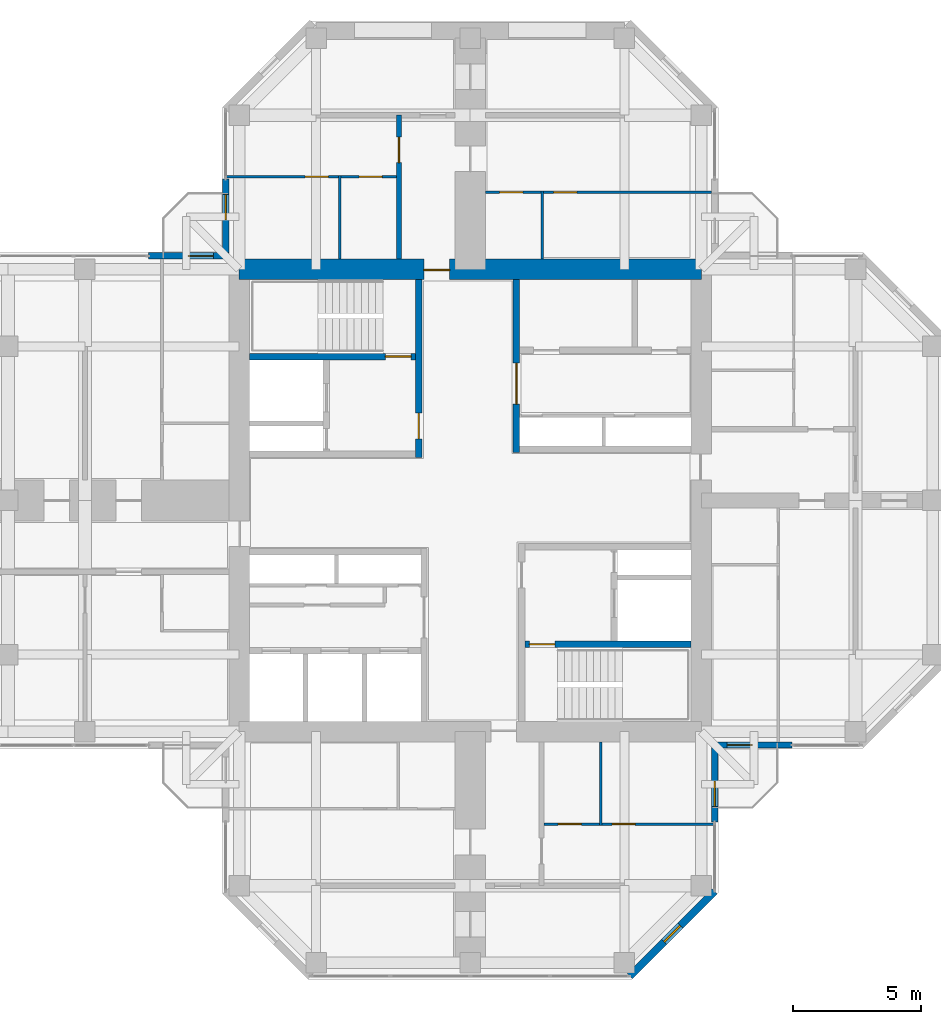
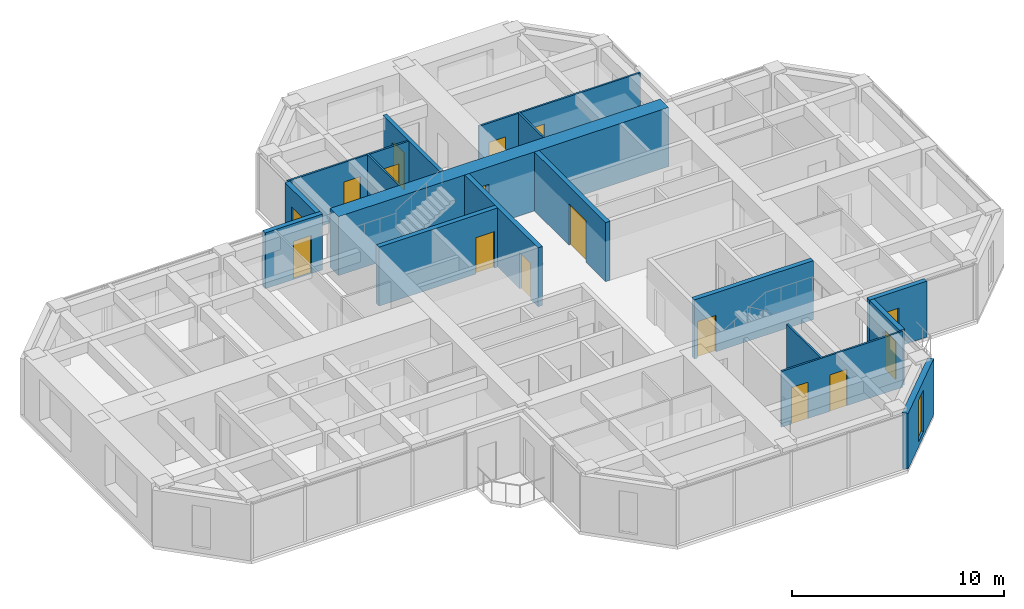
# One storey, part 10 of 13: 17 walls, 16 doors, 1 window, 17 openings.
"""IFC4 building model written with IfcOpenShell, lengths in metres."""

from ifc_helpers import new_model, si_unit, direction, frame, frame_2d, origin, place, context, subcontext, project, spatial, rectangle, hollow_rectangle, extrude, material, layer, layer_set, constituent, constituent_set, type_object, element, fill, save


model = new_model("IFC4")

# Units and contexts
model_context = context("Model", 3, precision=1e-05, world=origin(), true_north=direction((0.0, 1.0)))
body_context = subcontext(model_context, "Body", "Model", "MODEL_VIEW")
ifc_project = project(units=[si_unit("LENGTHUNIT", "METRE"), si_unit("AREAUNIT", "SQUARE_METRE"), si_unit("VOLUMEUNIT", "CUBIC_METRE"), si_unit("PLANEANGLEUNIT", "RADIAN"), si_unit("MASSUNIT", "GRAM", prefix="KILO")], contexts=[model_context])

# Site, building, storey
site_placement = place(None, origin())
site = spatial("IfcSite", under=ifc_project, at=site_placement, CompositionType="ELEMENT")
building_placement = place(site_placement, origin())
building = spatial("IfcBuilding", under=site, at=building_placement, Name="Torre Cruceta", CompositionType="ELEMENT")
storey_placement = place(building_placement, frame((0.0, 0.0, 239.10009765625)))
storey = spatial("IfcBuildingStorey", under=building, at=storey_placement, Name="L61", CompositionType="ELEMENT", Elevation=239.10009765625)

# Wall
ifc_material_1 = material(Name="Water-resistant plasterboard on steel studs", Category="steel")
ifc_layer_1 = layer(ifc_material_1, 0.10009765625)
ifc_layer_set_1 = layer_set([ifc_layer_1], Name="Water-resistant plasterboard on steel studs")
wall_type_1 = type_object("IfcWallType", Name="BATHROOM WALL 100", PredefinedType="PARTITIONING", material=ifc_layer_set_1)
wall_1_placement = place(storey_placement, frame((-5.074951171875, 9.39990234375, 0.0), z_axis=(0.0, 0.0, 1.0), x_axis=(0.0, 1.0, 0.0)))
element("IfcWall", 1, at=wall_1_placement, inside=storey, type_object=wall_type_1, Name="PT4 L61-N-U1LBB", PredefinedType="PARTITIONING", context=body_context, shape_type="SweptSolid", body=[
    extrude(rectangle(XDim=3.25, YDim=0.10009765625, at=frame_2d((1.625, 0.0))), origin(), (0.0, 0.0, 1.0), 3.219970703125),
])

# Wall, openings, doors
wall_2_placement = place(storey_placement, frame((-2.875, 12.60009765625, 0.0), z_axis=(0.0, 0.0, 1.0), x_axis=(-1.0, 0.0, 0.0)))
wall_2 = element("IfcWall", 2, at=wall_2_placement, inside=storey, type_object=wall_type_1, Name="PT4 L61-N-U1LBS", PredefinedType="PARTITIONING", context=body_context, shape_type="SweptSolid", body=[
    extrude(rectangle(XDim=6.60498046875, YDim=0.10009765625, at=frame_2d((3.302490234375, 0.0))), origin(), (0.0, 0.0, 1.0), 3.219970703125),
])
opening_1_placement = place(wall_2_placement, frame((0.550048828125, 0.0, 0.0)))
opening_1 = element("IfcOpeningElement", 3, at=opening_1_placement, cuts=wall_2, Name="Opening D7", PredefinedType="OPENING", context=body_context, shape_type="SweptSolid", body=[
    extrude(rectangle(XDim=0.89990234375, YDim=2.10009765625, at=frame_2d((0.449951171875, 1.050048828125))), frame((0.0, 0.06005859375, 0.0), z_axis=(0.0, -1.0, 0.0), x_axis=(1.0, 0.0, 0.0)), (0.0, 0.0, 1.0), 0.1201171875),
])
opening_2_placement = place(wall_2_placement, frame((2.64990234375, 0.0, 0.0)))
opening_2 = element("IfcOpeningElement", 4, at=opening_2_placement, cuts=wall_2, Name="Opening D7", PredefinedType="OPENING", context=body_context, shape_type="SweptSolid", body=[
    extrude(rectangle(XDim=0.89990234375, YDim=2.10009765625, at=frame_2d((0.449951171875, 1.050048828125))), frame((0.0, 0.06005859375, 0.0), z_axis=(0.0, -1.0, 0.0), x_axis=(1.0, 0.0, 0.0)), (0.0, 0.0, 1.0), 0.1201171875),
])
ifc_material_2 = material(Name="Timber door", Category="wood")
door_type_1 = type_object("IfcDoorType", Name="BATHROOM DOOR 900X2100", OperationType="SINGLE_SWING_LEFT", PredefinedType="DOOR", material=ifc_material_2)
door_1_placement = place(opening_1_placement, origin())
door_1 = element("IfcDoor", 5, at=door_1_placement, inside=storey, type_object=door_type_1, Name="D7 L61-N-U1LBS-D1", OperationType="SINGLE_SWING_LEFT", OverallHeight=2.10009765625, OverallWidth=0.89990234375, PredefinedType="DOOR", context=body_context, shape_type="SweptSolid", body=[
    extrude(rectangle(XDim=0.89990234375, YDim=2.10009765625, at=frame_2d((0.449951171875, 1.050048828125))), frame((0.0, 0.02490234375, 0.0), z_axis=(0.0, -1.0, 0.0), x_axis=(1.0, 0.0, 0.0)), (0.0, 0.0, 1.0), 0.050048828125),
])
fill(opening_1, door_1)
door_2_placement = place(opening_2_placement, origin())
door_2 = element("IfcDoor", 6, at=door_2_placement, inside=storey, type_object=door_type_1, Name="D7 L61-N-U1LBS-D2", OperationType="SINGLE_SWING_LEFT", OverallHeight=2.10009765625, OverallWidth=0.89990234375, PredefinedType="DOOR", context=body_context, shape_type="SweptSolid", body=[
    extrude(rectangle(XDim=0.89990234375, YDim=2.10009765625, at=frame_2d((0.449951171875, 1.050048828125))), frame((0.0, 0.02490234375, 0.0), z_axis=(0.0, -1.0, 0.0), x_axis=(1.0, 0.0, 0.0)), (0.0, 0.0, 1.0), 0.050048828125),
])
fill(opening_2, door_2)

# Wall
wall_3_placement = place(storey_placement, frame((2.800048828125, 9.39990234375, 0.0), z_axis=(0.0, 0.0, 1.0), x_axis=(0.0, 1.0, 0.0)))
element("IfcWall", 7, at=wall_3_placement, inside=storey, type_object=wall_type_1, Name="PT4 L61-N-U1RBB", PredefinedType="PARTITIONING", context=body_context, shape_type="SweptSolid", body=[
    extrude(rectangle(XDim=2.650146484375, YDim=0.10009765625, at=frame_2d((1.3251953125, 0.0))), origin(), (0.0, 0.0, 1.0), 3.219970703125),
])

# Wall, openings, doors
wall_4_placement = place(storey_placement, frame((9.39501953125, 12.0, 0.0), z_axis=(0.0, 0.0, 1.0), x_axis=(-1.0, 0.0, 0.0)))
wall_4 = element("IfcWall", 8, at=wall_4_placement, inside=storey, type_object=wall_type_1, Name="PT4 L61-N-U1RBS", PredefinedType="PARTITIONING", context=body_context, shape_type="SweptSolid", body=[
    extrude(rectangle(XDim=8.794921875, YDim=0.10009765625, at=frame_2d((4.3974609375, 0.0))), origin(), (0.0, 0.0, 1.0), 3.219970703125),
])
opening_3_placement = place(wall_4_placement, frame((5.2451171875, 0.0, 0.0)))
opening_3 = element("IfcOpeningElement", 9, at=opening_3_placement, cuts=wall_4, Name="Opening D7", PredefinedType="OPENING", context=body_context, shape_type="SweptSolid", body=[
    extrude(rectangle(XDim=0.89990234375, YDim=2.10009765625, at=frame_2d((0.449951171875, 1.050048828125))), frame((0.0, 0.06005859375, 0.0), z_axis=(0.0, -1.0, 0.0), x_axis=(1.0, 0.0, 0.0)), (0.0, 0.0, 1.0), 0.1201171875),
])
opening_4_placement = place(wall_4_placement, frame((7.344970703125, 0.0, 0.0)))
opening_4 = element("IfcOpeningElement", 10, at=opening_4_placement, cuts=wall_4, Name="Opening D7", PredefinedType="OPENING", context=body_context, shape_type="SweptSolid", body=[
    extrude(rectangle(XDim=0.89990234375, YDim=2.10009765625, at=frame_2d((0.449951171875, 1.050048828125))), frame((0.0, 0.06005859375, 0.0), z_axis=(0.0, -1.0, 0.0), x_axis=(1.0, 0.0, 0.0)), (0.0, 0.0, 1.0), 0.1201171875),
])
door_3_placement = place(opening_3_placement, origin())
door_3 = element("IfcDoor", 11, at=door_3_placement, inside=storey, type_object=door_type_1, Name="D7 L61-N-U1RBS-D1", OperationType="SINGLE_SWING_RIGHT", OverallHeight=2.10009765625, OverallWidth=0.89990234375, PredefinedType="DOOR", context=body_context, shape_type="SweptSolid", body=[
    extrude(rectangle(XDim=0.89990234375, YDim=2.10009765625, at=frame_2d((0.449951171875, 1.050048828125))), frame((0.0, 0.02490234375, 0.0), z_axis=(0.0, -1.0, 0.0), x_axis=(1.0, 0.0, 0.0)), (0.0, 0.0, 1.0), 0.050048828125),
])
fill(opening_3, door_3)
door_4_placement = place(opening_4_placement, origin())
door_4 = element("IfcDoor", 12, at=door_4_placement, inside=storey, type_object=door_type_1, Name="D7 L61-N-U1RBS-D2", OperationType="SINGLE_SWING_RIGHT", OverallHeight=2.10009765625, OverallWidth=0.89990234375, PredefinedType="DOOR", context=body_context, shape_type="SweptSolid", body=[
    extrude(rectangle(XDim=0.89990234375, YDim=2.10009765625, at=frame_2d((0.449951171875, 1.050048828125))), frame((0.0, 0.02490234375, 0.0), z_axis=(0.0, -1.0, 0.0), x_axis=(1.0, 0.0, 0.0)), (0.0, 0.0, 1.0), 0.050048828125),
])
fill(opening_4, door_4)

# Wall
wall_5_placement = place(storey_placement, frame((5.074951171875, -9.39990234375, 0.0), z_axis=(0.0, 0.0, 1.0), x_axis=(0.0, -1.0, 0.0)))
element("IfcWall", 13, at=wall_5_placement, inside=storey, type_object=wall_type_1, Name="PT4 L61-S-U1LBB", PredefinedType="PARTITIONING", context=body_context, shape_type="SweptSolid", body=[
    extrude(rectangle(XDim=3.25, YDim=0.10009765625, at=frame_2d((1.625, 0.0))), origin(), (0.0, 0.0, 1.0), 3.219970703125),
])

# Wall, openings, doors
wall_6_placement = place(storey_placement, frame((2.875, -12.60009765625, 0.0), z_axis=(0.0, 0.0, 1.0), x_axis=(1.0, 0.0, 0.0)))
wall_6 = element("IfcWall", 14, at=wall_6_placement, inside=storey, type_object=wall_type_1, Name="PT4 L61-S-U1LBS", PredefinedType="PARTITIONING", context=body_context, shape_type="SweptSolid", body=[
    extrude(rectangle(XDim=6.60498046875, YDim=0.10009765625, at=frame_2d((3.302490234375, 0.0))), origin(), (0.0, 0.0, 1.0), 3.219970703125),
])
opening_5_placement = place(wall_6_placement, frame((0.550048828125, 0.0, 0.0)))
opening_5 = element("IfcOpeningElement", 15, at=opening_5_placement, cuts=wall_6, Name="Opening D7", PredefinedType="OPENING", context=body_context, shape_type="SweptSolid", body=[
    extrude(rectangle(XDim=0.89990234375, YDim=2.10009765625, at=frame_2d((0.449951171875, 1.050048828125))), frame((0.0, 0.06005859375, 0.0), z_axis=(0.0, -1.0, 0.0), x_axis=(1.0, 0.0, 0.0)), (0.0, 0.0, 1.0), 0.1201171875),
])
opening_6_placement = place(wall_6_placement, frame((2.64990234375, 0.0, 0.0)))
opening_6 = element("IfcOpeningElement", 16, at=opening_6_placement, cuts=wall_6, Name="Opening D7", PredefinedType="OPENING", context=body_context, shape_type="SweptSolid", body=[
    extrude(rectangle(XDim=0.89990234375, YDim=2.10009765625, at=frame_2d((0.449951171875, 1.050048828125))), frame((0.0, 0.06005859375, 0.0), z_axis=(0.0, -1.0, 0.0), x_axis=(1.0, 0.0, 0.0)), (0.0, 0.0, 1.0), 0.1201171875),
])
door_5_placement = place(opening_5_placement, origin())
door_5 = element("IfcDoor", 17, at=door_5_placement, inside=storey, type_object=door_type_1, Name="D7 L61-S-U1LBS-D1", OperationType="SINGLE_SWING_LEFT", OverallHeight=2.10009765625, OverallWidth=0.89990234375, PredefinedType="DOOR", context=body_context, shape_type="SweptSolid", body=[
    extrude(rectangle(XDim=0.89990234375, YDim=2.10009765625, at=frame_2d((0.449951171875, 1.050048828125))), frame((0.0, 0.02490234375, 0.0), z_axis=(0.0, -1.0, 0.0), x_axis=(1.0, 0.0, 0.0)), (0.0, 0.0, 1.0), 0.050048828125),
])
fill(opening_5, door_5)
door_6_placement = place(opening_6_placement, origin())
door_6 = element("IfcDoor", 18, at=door_6_placement, inside=storey, type_object=door_type_1, Name="D7 L61-S-U1LBS-D2", OperationType="SINGLE_SWING_LEFT", OverallHeight=2.10009765625, OverallWidth=0.89990234375, PredefinedType="DOOR", context=body_context, shape_type="SweptSolid", body=[
    extrude(rectangle(XDim=0.89990234375, YDim=2.10009765625, at=frame_2d((0.449951171875, 1.050048828125))), frame((0.0, 0.02490234375, 0.0), z_axis=(0.0, -1.0, 0.0), x_axis=(1.0, 0.0, 0.0)), (0.0, 0.0, 1.0), 0.050048828125),
])
fill(opening_6, door_6)

# Wall, opening, door
ifc_material_3 = material(Name="Concrete G60 (fck 60 MPa)", Category="concrete")
ifc_layer_2 = layer(ifc_material_3, 0.25)
ifc_layer_set_2 = layer_set([ifc_layer_2], Name="Concrete G60 (fck 60 MPa)")
wall_type_2 = type_object("IfcWallType", Name="CORE INNER WALL 250 G60", PredefinedType="SHEAR", material=ifc_layer_set_2)
wall_7_placement = place(storey_placement, frame((1.800048828125, 1.875, 0.0), z_axis=(0.0, 0.0, 1.0), x_axis=(0.0, 1.0, 0.0)))
wall_7 = element("IfcWall", 19, at=wall_7_placement, inside=storey, type_object=wall_type_2, Name="CW4 L61 NE-CU", PredefinedType="SHEAR", context=body_context, shape_type="SweptSolid", body=[
    extrude(rectangle(XDim=6.72509765625, YDim=0.25, at=frame_2d((3.362548828125, 0.0))), origin(), (0.0, 0.0, 1.0), 3.39990234375),
])
opening_7_placement = place(wall_7_placement, frame((1.875, 0.0, 0.0)))
opening_7 = element("IfcOpeningElement", 20, at=opening_7_placement, cuts=wall_7, Name="Opening D15", PredefinedType="OPENING", context=body_context, shape_type="SweptSolid", body=[
    extrude(rectangle(XDim=1.60009765625, YDim=2.39990234375, at=frame_2d((0.800048828125, 1.199951171875))), frame((0.0, 0.135009765625, 0.0), z_axis=(0.0, -1.0, 0.0), x_axis=(1.0, 0.0, 0.0)), (0.0, 0.0, 1.0), 0.27001953125),
])
ifc_material_4 = material(Name="Steel DX51D", Category="steel")
ifc_constituent_1 = constituent(ifc_material_4, Name="Leaf and frame")
ifc_material_5 = material(Name="Polyester powder coating", Category="paint")
ifc_constituent_2 = constituent(ifc_material_5, Name="Finish")
ifc_constituent_set_1 = constituent_set(constituents=[ifc_constituent_1, ifc_constituent_2], Name="Steel fire door")
door_type_2 = type_object("IfcDoorType", Name="CORE ROOM DOUBLE DOOR 1600X2400", OperationType="DOUBLE_DOOR_SINGLE_SWING", PredefinedType="DOOR", material=ifc_constituent_set_1)
door_7_placement = place(opening_7_placement, frame((1.60009765625, 0.0, 0.0), z_axis=(0.0, 0.0, 1.0), x_axis=(-1.0, 0.0, 0.0)))
door_7 = element("IfcDoor", 21, at=door_7_placement, inside=storey, type_object=door_type_2, Name="D15 L61 NE-LOBBY", OperationType="DOUBLE_DOOR_SINGLE_SWING", OverallHeight=2.39990234375, OverallWidth=1.60009765625, PredefinedType="DOOR", context=body_context, shape_type="SweptSolid", body=[
    extrude(rectangle(XDim=1.60009765625, YDim=2.39990234375, at=frame_2d((0.800048828125, 1.199951171875))), frame((0.0, 0.025146484375, 0.0), z_axis=(0.0, -1.0, 0.0), x_axis=(1.0, 0.0, 0.0)), (0.0, 0.0, 1.0), 0.050048828125),
])
fill(opening_7, door_7)

wall_8_placement = place(storey_placement, frame((-2.0, 1.675048828125, 0.0), z_axis=(0.0, 0.0, 1.0), x_axis=(0.0, 1.0, 0.0)))
wall_8 = element("IfcWall", 22, at=wall_8_placement, inside=storey, type_object=wall_type_2, Name="CW4 L61 NW-CU", PredefinedType="SHEAR", context=body_context, shape_type="SweptSolid", body=[
    extrude(rectangle(XDim=6.925048828125, YDim=0.25, at=frame_2d((3.46240234375, 0.0))), origin(), (0.0, 0.0, 1.0), 3.39990234375),
])
opening_8_placement = place(wall_8_placement, frame((0.72509765625, 0.0, 0.0)))
opening_8 = element("IfcOpeningElement", 23, at=opening_8_placement, cuts=wall_8, Name="Opening D3", PredefinedType="OPENING", context=body_context, shape_type="SweptSolid", body=[
    extrude(rectangle(XDim=1.0, YDim=2.10009765625, at=frame_2d((0.5, 1.050048828125))), frame((0.0, 0.135009765625, 0.0), z_axis=(0.0, -1.0, 0.0), x_axis=(1.0, 0.0, 0.0)), (0.0, 0.0, 1.0), 0.27001953125),
])
ifc_material_6 = material(Name="Steel DX51D", Category="steel")
ifc_constituent_3 = constituent(ifc_material_6, Name="Leaf and frame")
ifc_material_7 = material(Name="Polyester powder coating", Category="paint")
ifc_constituent_4 = constituent(ifc_material_7, Name="Finish")
ifc_constituent_set_2 = constituent_set(constituents=[ifc_constituent_3, ifc_constituent_4], Name="Steel fire door")
door_type_3 = type_object("IfcDoorType", Name="FIRE DOOR 1000X2100", OperationType="SINGLE_SWING_LEFT", PredefinedType="DOOR", material=ifc_constituent_set_2)
door_8_placement = place(opening_8_placement, origin())
door_8 = element("IfcDoor", 24, at=door_8_placement, inside=storey, type_object=door_type_3, Name="D3 L61 NW-LOBBY", OperationType="SINGLE_SWING_LEFT", OverallHeight=2.10009765625, OverallWidth=1.0, PredefinedType="DOOR", context=body_context, shape_type="SweptSolid", body=[
    extrude(rectangle(XDim=1.0, YDim=2.10009765625, at=frame_2d((0.5, 1.050048828125))), frame((0.0, 0.02490234375, 0.0), z_axis=(0.0, -1.0, 0.0), x_axis=(1.0, 0.0, 0.0)), (0.0, 0.0, 1.0), 0.050048828125),
])
fill(opening_8, door_8)

wall_9_placement = place(storey_placement, frame((-2.125, 5.60009765625, 0.0), z_axis=(0.0, 0.0, 1.0), x_axis=(-1.0, 0.0, 0.0)))
wall_9 = element("IfcWall", 25, at=wall_9_placement, inside=storey, type_object=wall_type_2, Name="CW4 L61 NW-SV", PredefinedType="SHEAR", context=body_context, shape_type="SweptSolid", body=[
    extrude(rectangle(XDim=6.47509765625, YDim=0.25, at=frame_2d((3.237548828125, 0.0))), origin(), (0.0, 0.0, 1.0), 3.39990234375),
])
opening_9_placement = place(wall_9_placement, frame((0.175048828125, 0.0, 0.0)))
opening_9 = element("IfcOpeningElement", 26, at=opening_9_placement, cuts=wall_9, Name="Opening D3", PredefinedType="OPENING", context=body_context, shape_type="SweptSolid", body=[
    extrude(rectangle(XDim=1.0, YDim=2.10009765625, at=frame_2d((0.5, 1.050048828125))), frame((0.0, 0.135009765625, 0.0), z_axis=(0.0, -1.0, 0.0), x_axis=(1.0, 0.0, 0.0)), (0.0, 0.0, 1.0), 0.27001953125),
])
door_9_placement = place(opening_9_placement, frame((1.0, 0.0, 0.0), z_axis=(0.0, 0.0, 1.0), x_axis=(-1.0, 0.0, 0.0)))
door_9 = element("IfcDoor", 27, at=door_9_placement, inside=storey, type_object=door_type_3, Name="D3 L61 NW-STAIR", OperationType="SINGLE_SWING_RIGHT", OverallHeight=2.10009765625, OverallWidth=1.0, PredefinedType="DOOR", context=body_context, shape_type="SweptSolid", body=[
    extrude(rectangle(XDim=1.0, YDim=2.10009765625, at=frame_2d((0.5, 1.050048828125))), frame((0.0, 0.025146484375, 0.0), z_axis=(0.0, -1.0, 0.0), x_axis=(1.0, 0.0, 0.0)), (0.0, 0.0, 1.0), 0.050048828125),
])
fill(opening_9, door_9)

wall_10_placement = place(storey_placement, frame((2.125, -5.60009765625, 0.0), z_axis=(0.0, 0.0, 1.0), x_axis=(1.0, 0.0, 0.0)))
wall_10 = element("IfcWall", 28, at=wall_10_placement, inside=storey, type_object=wall_type_2, Name="CW4 L61 SE-SV", PredefinedType="SHEAR", context=body_context, shape_type="SweptSolid", body=[
    extrude(rectangle(XDim=6.47509765625, YDim=0.25, at=frame_2d((3.237548828125, 0.0))), origin(), (0.0, 0.0, 1.0), 3.39990234375),
])
opening_10_placement = place(wall_10_placement, frame((0.175048828125, 0.0, 0.0)))
opening_10 = element("IfcOpeningElement", 29, at=opening_10_placement, cuts=wall_10, Name="Opening D3", PredefinedType="OPENING", context=body_context, shape_type="SweptSolid", body=[
    extrude(rectangle(XDim=1.0, YDim=2.10009765625, at=frame_2d((0.5, 1.050048828125))), frame((0.0, 0.135009765625, 0.0), z_axis=(0.0, -1.0, 0.0), x_axis=(1.0, 0.0, 0.0)), (0.0, 0.0, 1.0), 0.27001953125),
])
door_10_placement = place(opening_10_placement, frame((1.0, 0.0, 0.0), z_axis=(0.0, 0.0, 1.0), x_axis=(-1.0, 0.0, 0.0)))
door_10 = element("IfcDoor", 30, at=door_10_placement, inside=storey, type_object=door_type_3, Name="D3 L61 SE-STAIR", OperationType="SINGLE_SWING_RIGHT", OverallHeight=2.10009765625, OverallWidth=1.0, PredefinedType="DOOR", context=body_context, shape_type="SweptSolid", body=[
    extrude(rectangle(XDim=1.0, YDim=2.10009765625, at=frame_2d((0.5, 1.050048828125))), frame((0.0, 0.025146484375, 0.0), z_axis=(0.0, -1.0, 0.0), x_axis=(1.0, 0.0, 0.0)), (0.0, 0.0, 1.0), 0.050048828125),
])
fill(opening_10, door_10)

ifc_material_8 = material(Name="Concrete G60 (fck 60 MPa)", Category="concrete")
ifc_layer_3 = layer(ifc_material_8, 0.800048828125)
ifc_layer_set_3 = layer_set([ifc_layer_3], Name="Concrete G60 (fck 60 MPa)")
wall_type_3 = type_object("IfcWallType", Name="CORE WALL 800 G60", PredefinedType="SHEAR", material=ifc_layer_set_3)
wall_11_placement = place(storey_placement, frame((9.0, 9.0, 0.0), z_axis=(0.0, 0.0, 1.0), x_axis=(-1.0, 0.0, 0.0)))
wall_11 = element("IfcWall", 31, at=wall_11_placement, inside=storey, type_object=wall_type_3, Name="CW3 L61 CW-N", PredefinedType="SHEAR", context=body_context, shape_type="SweptSolid", body=[
    extrude(rectangle(XDim=18.0, YDim=0.800048828125, at=frame_2d((9.0, 0.0))), origin(), (0.0, 0.0, 1.0), 3.39990234375),
])
opening_11_placement = place(wall_11_placement, frame((9.800048828125, 0.0, 0.0)))
opening_11 = element("IfcOpeningElement", 32, at=opening_11_placement, cuts=wall_11, Name="Opening D4", PredefinedType="OPENING", context=body_context, shape_type="SweptSolid", body=[
    extrude(rectangle(XDim=1.0, YDim=2.39990234375, at=frame_2d((0.5, 1.199951171875))), frame((0.0, 0.409912109375, 0.0), z_axis=(0.0, -1.0, 0.0), x_axis=(1.0, 0.0, 0.0)), (0.0, 0.0, 1.0), 0.820068359375),
])
ifc_material_9 = material(Name="Steel DX51D", Category="steel")
ifc_constituent_5 = constituent(ifc_material_9, Name="Leaf and frame")
ifc_material_10 = material(Name="Polyester powder coating", Category="paint")
ifc_constituent_6 = constituent(ifc_material_10, Name="Finish")
ifc_constituent_set_3 = constituent_set(constituents=[ifc_constituent_5, ifc_constituent_6], Name="Steel fire door")
door_type_4 = type_object("IfcDoorType", Name="CORE ARM DOOR 1000X2400", OperationType="SINGLE_SWING_RIGHT", PredefinedType="DOOR", material=ifc_constituent_set_3)
door_11_placement = place(opening_11_placement, origin())
door_11 = element("IfcDoor", 33, at=door_11_placement, inside=storey, type_object=door_type_4, Name="D4 L61 CW-N", OperationType="SINGLE_SWING_RIGHT", OverallHeight=2.39990234375, OverallWidth=1.0, PredefinedType="DOOR", context=body_context, shape_type="SweptSolid", body=[
    extrude(rectangle(XDim=1.0, YDim=2.39990234375, at=frame_2d((0.5, 1.199951171875))), frame((0.0, 0.05517578125, 0.0), z_axis=(0.0, -1.0, 0.0), x_axis=(1.0, 0.0, 0.0)), (0.0, 0.0, 1.0), 0.050048828125),
])
fill(opening_11, door_11)

ifc_material_11 = material(Name="Concrete G25 (fck 25 MPa)", Category="concrete")
ifc_layer_4 = layer(ifc_material_11, 0.199951171875)
ifc_layer_set_4 = layer_set([ifc_layer_4], Name="Concrete G25 (fck 25 MPa)")
wall_type_4 = type_object("IfcWallType", Name="CORRIDOR WALL 200", PredefinedType="SOLIDWALL", material=ifc_layer_set_4)
wall_12_placement = place(storey_placement, frame((-2.77490234375, 9.39990234375, 0.0), z_axis=(0.0, 0.0, 1.0), x_axis=(0.0, 1.0, 0.0)))
wall_12 = element("IfcWall", 34, at=wall_12_placement, inside=storey, type_object=wall_type_4, Name="PT3 L61-N-CL", PredefinedType="SOLIDWALL", context=body_context, shape_type="SweptSolid", body=[
    extrude(rectangle(XDim=5.60009765625, YDim=0.199951171875, at=frame_2d((2.800048828125, 0.0))), origin(), (0.0, 0.0, 1.0), 3.219970703125),
])
opening_12_placement = place(wall_12_placement, frame((3.75, 0.0, 0.0)))
opening_12 = element("IfcOpeningElement", 35, at=opening_12_placement, cuts=wall_12, Name="Opening D6", PredefinedType="OPENING", context=body_context, shape_type="SweptSolid", body=[
    extrude(rectangle(XDim=1.0, YDim=2.14990234375, at=frame_2d((0.5, 1.074951171875))), frame((0.0, 0.10986328125, 0.0), z_axis=(0.0, -1.0, 0.0), x_axis=(1.0, 0.0, 0.0)), (0.0, 0.0, 1.0), 0.219970703125),
])
ifc_material_12 = material(Name="Timber fire door", Category="wood")
door_type_5 = type_object("IfcDoorType", Name="UNIT ENTRANCE DOOR 1000X2150", OperationType="SINGLE_SWING_LEFT", PredefinedType="DOOR", material=ifc_material_12)
door_12_placement = place(opening_12_placement, origin())
door_12 = element("IfcDoor", 36, at=door_12_placement, inside=storey, type_object=door_type_5, Name="D6 L61-N-CL-D1", OperationType="SINGLE_SWING_LEFT", OverallHeight=2.14990234375, OverallWidth=1.0, PredefinedType="DOOR", context=body_context, shape_type="SweptSolid", body=[
    extrude(rectangle(XDim=1.0, YDim=2.14990234375, at=frame_2d((0.5, 1.074951171875))), frame((0.0, 0.02490234375, 0.0), z_axis=(0.0, -1.0, 0.0), x_axis=(1.0, 0.0, 0.0)), (0.0, 0.0, 1.0), 0.050048828125),
])
fill(opening_12, door_12)

# Wall, opening, window
ifc_material_13 = material(Name="Concrete G30 (fck 30 MPa)", Category="concrete")
ifc_layer_5 = layer(ifc_material_13, 0.300048828125)
ifc_layer_set_5 = layer_set([ifc_layer_5], Name="Concrete G30 (fck 30 MPa)")
wall_type_5 = type_object("IfcWallType", Name="EXPOSED CONCRETE FACADE WALL 300", PredefinedType="SOLIDWALL", material=ifc_layer_set_5)
wall_13_placement = place(storey_placement, frame((6.21533203125, -18.52001953125, 0.0), z_axis=(0.0, 0.0, 1.0), x_axis=(0.707106781187, 0.707106781187, 0.0)))
wall_13 = element("IfcWall", 37, at=wall_13_placement, inside=storey, type_object=wall_type_5, Name="EW1 facade wall L61 S chamfer 18", PredefinedType="SOLIDWALL", context=body_context, shape_type="SweptSolid", body=[
    extrude(rectangle(XDim=4.673583984375, YDim=0.300048828125, at=frame_2d((2.3369140625, 0.0))), origin(), (0.0, 0.0, 1.0), 3.219970703125),
])
opening_13_placement = place(wall_13_placement, frame((1.88671875, 0.0, 0.300048828125)))
opening_13 = element("IfcOpeningElement", 38, at=opening_13_placement, cuts=wall_13, Name="Opening WN5", PredefinedType="OPENING", context=body_context, shape_type="SweptSolid", body=[
    extrude(rectangle(XDim=0.89990234375, YDim=2.39990234375, at=frame_2d((0.449951171875, 1.199951171875))), frame((0.0, 0.159912109375, 0.0), z_axis=(0.0, -1.0, 0.0), x_axis=(1.0, 0.0, 0.0)), (0.0, 0.0, 1.0), 0.320068359375),
])
ifc_material_14 = material(Name="Aluminium window frame", Category="aluminium")
ifc_constituent_7 = constituent(ifc_material_14, Name="Frame")
ifc_material_15 = material(Name="Laminated insulating glass unit, low-iron clear", Category="glass")
ifc_constituent_8 = constituent(ifc_material_15, Name="Glazing")
ifc_constituent_set_4 = constituent_set(constituents=[ifc_constituent_7, ifc_constituent_8], Name="Aluminium window")
window_type = type_object("IfcWindowType", Name="CHAMFER SLOT WINDOW 900X2400", PartitioningType="SINGLE_PANEL", PredefinedType="WINDOW", material=ifc_constituent_set_4)
window_placement = place(opening_13_placement, origin())
window = element("IfcWindow", 39, at=window_placement, inside=storey, type_object=window_type, Name="WN5 L61 S 1", OverallHeight=2.39990234375, OverallWidth=0.89990234375, PartitioningType="SINGLE_PANEL", PredefinedType="WINDOW", context=body_context, shape_type="SweptSolid", body=[
    extrude(hollow_rectangle(XDim=0.89990234375, YDim=2.39990234375, WallThickness=0.06005859375, at=frame_2d((0.449951171875, 1.199951171875))), frame((0.0, 0.030029296875, 0.0), z_axis=(0.0, -1.0, 0.0), x_axis=(1.0, 0.0, 0.0)), (0.0, 0.0, 1.0), 0.06005859375),
    extrude(rectangle(XDim=0.77880859375, YDim=2.27880859375, at=frame_2d((0.449951171875, 1.199951171875))), frame((0.0, 0.030029296875, 0.0), z_axis=(0.0, -1.0, 0.0), x_axis=(1.0, 0.0, 0.0)), (0.0, 0.0, 1.0), 0.06005859375),
])
fill(opening_13, window)

# Wall, opening, door
ifc_material_16 = material(Name="Concrete G30 (fck 30 MPa)", Category="concrete")
ifc_layer_6 = layer(ifc_material_16, 0.25)
ifc_layer_set_6 = layer_set([ifc_layer_6], Name="Concrete G30 (fck 30 MPa)")
wall_type_6 = type_object("IfcWallType", Name="WINTER GARDEN WALL 250", PredefinedType="SOLIDWALL", material=ifc_layer_set_6)
wall_14_placement = place(storey_placement, frame((9.39501953125, -9.52001953125, 0.0), z_axis=(0.0, 0.0, 1.0), x_axis=(1.0, 0.0, 0.0)))
wall_14 = element("IfcWall", 40, at=wall_14_placement, inside=storey, type_object=wall_type_6, Name="EW2 winter garden wall L61 00", PredefinedType="SOLIDWALL", context=body_context, shape_type="SweptSolid", body=[
    extrude(rectangle(XDim=3.125, YDim=0.25, at=frame_2d((1.5625, 0.0))), origin(), (0.0, 0.0, 1.0), 3.219970703125),
])
opening_14_placement = place(wall_14_placement, frame((0.60009765625, 0.0, 0.0)))
opening_14 = element("IfcOpeningElement", 41, at=opening_14_placement, cuts=wall_14, Name="Opening D10", PredefinedType="OPENING", context=body_context, shape_type="SweptSolid", body=[
    extrude(rectangle(XDim=1.0, YDim=2.199951171875, at=frame_2d((0.5, 1.10009765625))), frame((0.0, 0.135009765625, 0.0), z_axis=(0.0, -1.0, 0.0), x_axis=(1.0, 0.0, 0.0)), (0.0, 0.0, 1.0), 0.27001953125),
])
ifc_material_17 = material(Name="Aluminium door frame", Category="aluminium")
ifc_constituent_9 = constituent(ifc_material_17, Name="Frame")
ifc_material_18 = material(Name="Laminated safety glass", Category="glass")
ifc_constituent_10 = constituent(ifc_material_18, Name="Glazing")
ifc_constituent_set_5 = constituent_set(constituents=[ifc_constituent_9, ifc_constituent_10], Name="Aluminium glazed door")
door_type_6 = type_object("IfcDoorType", Name="BALCONY DOOR 1000X2200", OperationType="SINGLE_SWING_RIGHT", PredefinedType="DOOR", material=ifc_constituent_set_5)
door_13_placement = place(opening_14_placement, origin())
door_13 = element("IfcDoor", 42, at=door_13_placement, inside=storey, type_object=door_type_6, Name="D10 balcony door L61 00", OperationType="SINGLE_SWING_RIGHT", OverallHeight=2.199951171875, OverallWidth=1.0, PredefinedType="DOOR", context=body_context, shape_type="SweptSolid", body=[
    extrude(hollow_rectangle(XDim=1.0, YDim=2.199951171875, WallThickness=0.06005859375, at=frame_2d((0.5, 1.10009765625))), frame((0.0, 0.02490234375, 0.0), z_axis=(0.0, -1.0, 0.0), x_axis=(1.0, 0.0, 0.0)), (0.0, 0.0, 1.0), 0.050048828125),
    extrude(rectangle(XDim=0.87890625, YDim=2.078857421875, at=frame_2d((0.5, 1.10009765625))), frame((0.0, 0.02490234375, 0.0), z_axis=(0.0, -1.0, 0.0), x_axis=(1.0, 0.0, 0.0)), (0.0, 0.0, 1.0), 0.050048828125),
])
fill(opening_14, door_13)

wall_15_placement = place(storey_placement, frame((-9.52001953125, 12.52001953125, 0.0), z_axis=(0.0, 0.0, 1.0), x_axis=(0.0, -1.0, 0.0)))
wall_15 = element("IfcWall", 43, at=wall_15_placement, inside=storey, type_object=wall_type_6, Name="EW2 winter garden wall L61 09", PredefinedType="SOLIDWALL", context=body_context, shape_type="SweptSolid", body=[
    extrude(rectangle(XDim=2.875, YDim=0.25, at=frame_2d((1.4375, 0.0))), origin(), (0.0, 0.0, 1.0), 3.219970703125),
])
opening_15_placement = place(wall_15_placement, frame((0.60009765625, 0.0, 0.0)))
opening_15 = element("IfcOpeningElement", 44, at=opening_15_placement, cuts=wall_15, Name="Opening D10", PredefinedType="OPENING", context=body_context, shape_type="SweptSolid", body=[
    extrude(rectangle(XDim=1.0, YDim=2.199951171875, at=frame_2d((0.5, 1.10009765625))), frame((0.0, 0.135009765625, 0.0), z_axis=(0.0, -1.0, 0.0), x_axis=(1.0, 0.0, 0.0)), (0.0, 0.0, 1.0), 0.27001953125),
])
door_14_placement = place(opening_15_placement, origin())
door_14 = element("IfcDoor", 45, at=door_14_placement, inside=storey, type_object=door_type_6, Name="D10 balcony door L61 09", OperationType="SINGLE_SWING_LEFT", OverallHeight=2.199951171875, OverallWidth=1.0, PredefinedType="DOOR", context=body_context, shape_type="SweptSolid", body=[
    extrude(hollow_rectangle(XDim=1.0, YDim=2.199951171875, WallThickness=0.06005859375, at=frame_2d((0.5, 1.10009765625))), frame((0.0, 0.02490234375, 0.0), z_axis=(0.0, -1.0, 0.0), x_axis=(1.0, 0.0, 0.0)), (0.0, 0.0, 1.0), 0.050048828125),
    extrude(rectangle(XDim=0.87890625, YDim=2.078857421875, at=frame_2d((0.5, 1.10009765625))), frame((0.0, 0.02490234375, 0.0), z_axis=(0.0, -1.0, 0.0), x_axis=(1.0, 0.0, 0.0)), (0.0, 0.0, 1.0), 0.050048828125),
])
fill(opening_15, door_14)

wall_16_placement = place(storey_placement, frame((-9.39501953125, 9.52001953125, 0.0), z_axis=(0.0, 0.0, 1.0), x_axis=(-1.0, 0.0, 0.0)))
wall_16 = element("IfcWall", 46, at=wall_16_placement, inside=storey, type_object=wall_type_6, Name="EW2 winter garden wall L61 10", PredefinedType="SOLIDWALL", context=body_context, shape_type="SweptSolid", body=[
    extrude(rectangle(XDim=3.125, YDim=0.25, at=frame_2d((1.5625, 0.0))), origin(), (0.0, 0.0, 1.0), 3.219970703125),
])
opening_16_placement = place(wall_16_placement, frame((0.60009765625, 0.0, 0.0)))
opening_16 = element("IfcOpeningElement", 47, at=opening_16_placement, cuts=wall_16, Name="Opening D10", PredefinedType="OPENING", context=body_context, shape_type="SweptSolid", body=[
    extrude(rectangle(XDim=1.0, YDim=2.199951171875, at=frame_2d((0.5, 1.10009765625))), frame((0.0, 0.135009765625, 0.0), z_axis=(0.0, -1.0, 0.0), x_axis=(1.0, 0.0, 0.0)), (0.0, 0.0, 1.0), 0.27001953125),
])
door_15_placement = place(opening_16_placement, origin())
door_15 = element("IfcDoor", 48, at=door_15_placement, inside=storey, type_object=door_type_6, Name="D10 balcony door L61 10", OperationType="SINGLE_SWING_RIGHT", OverallHeight=2.199951171875, OverallWidth=1.0, PredefinedType="DOOR", context=body_context, shape_type="SweptSolid", body=[
    extrude(hollow_rectangle(XDim=1.0, YDim=2.199951171875, WallThickness=0.06005859375, at=frame_2d((0.5, 1.10009765625))), frame((0.0, 0.02490234375, 0.0), z_axis=(0.0, -1.0, 0.0), x_axis=(1.0, 0.0, 0.0)), (0.0, 0.0, 1.0), 0.050048828125),
    extrude(rectangle(XDim=0.87890625, YDim=2.078857421875, at=frame_2d((0.5, 1.10009765625))), frame((0.0, 0.02490234375, 0.0), z_axis=(0.0, -1.0, 0.0), x_axis=(1.0, 0.0, 0.0)), (0.0, 0.0, 1.0), 0.050048828125),
])
fill(opening_16, door_15)

wall_17_placement = place(storey_placement, frame((9.52001953125, -12.52001953125, 0.0), z_axis=(0.0, 0.0, 1.0), x_axis=(0.0, 1.0, 0.0)))
wall_17 = element("IfcWall", 49, at=wall_17_placement, inside=storey, type_object=wall_type_6, Name="EW2 winter garden wall L61 19", PredefinedType="SOLIDWALL", context=body_context, shape_type="SweptSolid", body=[
    extrude(rectangle(XDim=2.875, YDim=0.25, at=frame_2d((1.4375, 0.0))), origin(), (0.0, 0.0, 1.0), 3.219970703125),
])
opening_17_placement = place(wall_17_placement, frame((0.60009765625, 0.0, 0.0)))
opening_17 = element("IfcOpeningElement", 50, at=opening_17_placement, cuts=wall_17, Name="Opening D10", PredefinedType="OPENING", context=body_context, shape_type="SweptSolid", body=[
    extrude(rectangle(XDim=1.0, YDim=2.199951171875, at=frame_2d((0.5, 1.10009765625))), frame((0.0, 0.135009765625, 0.0), z_axis=(0.0, -1.0, 0.0), x_axis=(1.0, 0.0, 0.0)), (0.0, 0.0, 1.0), 0.27001953125),
])
door_16_placement = place(opening_17_placement, origin())
door_16 = element("IfcDoor", 51, at=door_16_placement, inside=storey, type_object=door_type_6, Name="D10 balcony door L61 19", OperationType="SINGLE_SWING_LEFT", OverallHeight=2.199951171875, OverallWidth=1.0, PredefinedType="DOOR", context=body_context, shape_type="SweptSolid", body=[
    extrude(hollow_rectangle(XDim=1.0, YDim=2.199951171875, WallThickness=0.06005859375, at=frame_2d((0.5, 1.10009765625))), frame((0.0, 0.02490234375, 0.0), z_axis=(0.0, -1.0, 0.0), x_axis=(1.0, 0.0, 0.0)), (0.0, 0.0, 1.0), 0.050048828125),
    extrude(rectangle(XDim=0.87890625, YDim=2.078857421875, at=frame_2d((0.5, 1.10009765625))), frame((0.0, 0.02490234375, 0.0), z_axis=(0.0, -1.0, 0.0), x_axis=(1.0, 0.0, 0.0)), (0.0, 0.0, 1.0), 0.050048828125),
])
fill(opening_17, door_16)

save(model, "model.ifc")
